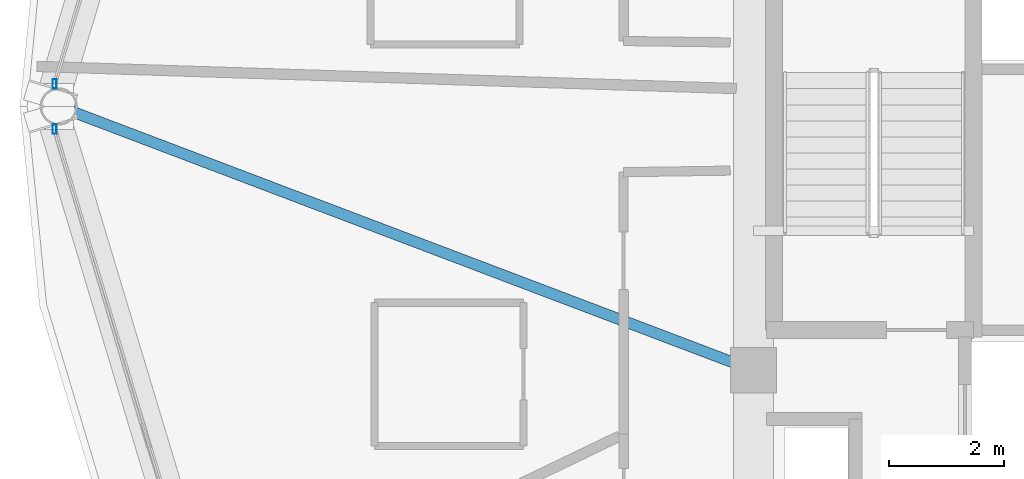
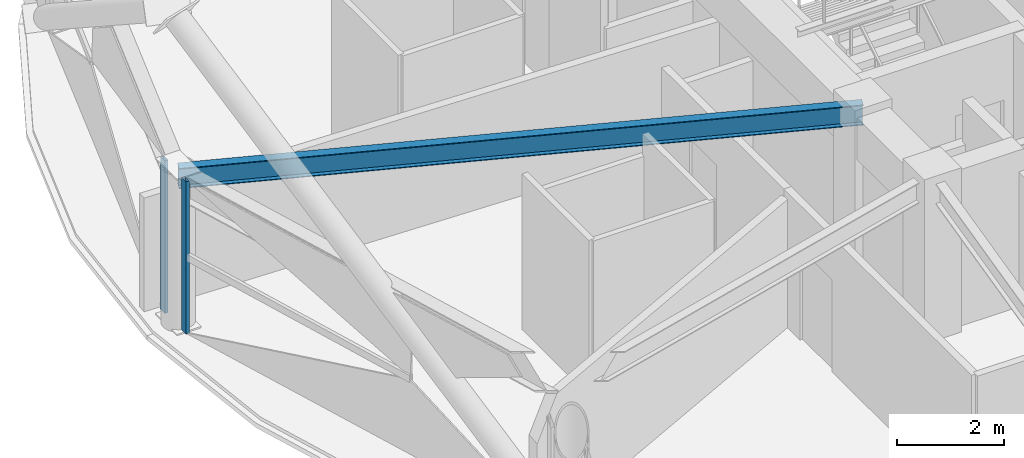
# One storey, part 7 of 29: 2 members, 1 beam, 2 elements without a shape of their own.
"""IFC4 building model written with IfcOpenShell, lengths in metres."""

from ifc_helpers import new_model, si_unit, direction, frame, origin, origin_2d, place, context, subcontext, project, spatial, hollow_rectangle, i_section, extrude, material, layer, layer_set, material_profile, profile_set, type_object, element, aggregate, save


model = new_model("IFC4")

# Units and contexts
model_context = context("Model", 3, precision=1e-05, world=origin(), true_north=direction((0.0, 1.0)))
body_context = subcontext(model_context, "Body", "Model", "MODEL_VIEW")
ifc_project = project(units=[si_unit("LENGTHUNIT", "METRE"), si_unit("AREAUNIT", "SQUARE_METRE"), si_unit("VOLUMEUNIT", "CUBIC_METRE"), si_unit("PLANEANGLEUNIT", "RADIAN"), si_unit("MASSUNIT", "GRAM", prefix="KILO")], contexts=[model_context])

# Site, building, storey
site_placement = place(None, origin())
site = spatial("IfcSite", under=ifc_project, at=site_placement, CompositionType="ELEMENT")
building_placement = place(site_placement, origin())
building = spatial("IfcBuilding", under=site, at=building_placement, Name="Vantalir Tower", CompositionType="ELEMENT")
storey_placement = place(building_placement, frame((0.0, 0.0, 234.89990234375)))
storey = spatial("IfcBuildingStorey", under=building, at=storey_placement, Name="L59", CompositionType="ELEMENT", Elevation=234.89990234375)

# Beam
ifc_material_1 = material(Name="Steel S355", Category="steel")
ifc_material_profile_1 = material_profile(ifc_material_1, i_section(OverallWidth=0.19189453125, OverallDepth=0.462890625, WebThickness=0.010498046875, FlangeThickness=0.017578125, at=origin_2d()), Name="Steel S355")
ifc_profile_set_1 = profile_set([ifc_material_profile_1], Name="Steel S355")
beam_type = type_object("IfcBeamType", Name="BM-RB-457x191", PredefinedType="BEAM", material=ifc_profile_set_1)
beam_placement = place(storey_placement, frame((9.781982421875, 25.0, 3.338134765625), z_axis=(0.934904236312, -0.354900083018, 0.0), x_axis=(0.354900083018, 0.934904236312, 0.0)))
element("IfcBeam", 1, at=beam_placement, inside=storey, type_object=beam_type, Name="L59 Radial Floor Beam 07", PredefinedType="BEAM", context=body_context, shape_type="SweptSolid", body=[
    extrude(i_section(OverallWidth=0.19189453125, OverallDepth=0.462890625, WebThickness=0.010498046875, FlangeThickness=0.017578125, at=origin_2d()), origin(), (0.0, 0.0, 1.0), 12.961669921875),
])

# Curtain wall, member
ifc_material_2 = material(Name="Champagne-silver PVDF aluminium and double-silver Low-E glass", Category="aluminium")
ifc_layer = layer(ifc_material_2, 0.2099609375)
ifc_layer_set = layer_set([ifc_layer], Name="Champagne-silver PVDF aluminium and double-silver Low-E glass")
curtain_wall_type = type_object("IfcCurtainWallType", Name="CW-DIAMOND-Z3", PredefinedType="USERDEFINED", material=ifc_layer_set)
curtain_wall_1_placement = place(storey_placement, origin())
curtain_wall_1 = element("IfcCurtainWall", 2, at=curtain_wall_1_placement, inside=storey, type_object=curtain_wall_type, Name="L59 Quilted Pyramid-Diamond Curtain Wall S06", ObjectType="UNITISED CURTAIN WALL", PredefinedType="USERDEFINED")
ifc_material_3 = material(Name="Champagne-silver PVDF aluminium 6063-T6", Category="aluminium")
ifc_material_profile_2 = material_profile(ifc_material_3, hollow_rectangle(XDim=0.070068359375, YDim=0.1650390625, WallThickness=0.00390625, at=origin_2d()), Name="Champagne-silver PVDF aluminium 6063-T6")
ifc_profile_set_2 = profile_set([ifc_material_profile_2], Name="Champagne-silver PVDF aluminium 6063-T6")
member_type = type_object("IfcMemberType", Name="CWM-165x70", PredefinedType="MULLION", material=ifc_profile_set_2)
member_1_placement = place(storey_placement, frame((9.7099609375, 25.39306640625, 0.045166015625), z_axis=(0.0, 0.0, 1.0), x_axis=(1.0, 0.0, 0.0)))
member_1 = element("IfcMember", 3, at=member_1_placement, type_object=member_type, Name="CW-L59-S06 Mullion 2", PredefinedType="MULLION", context=body_context, shape_type="SweptSolid", body=[
    extrude(hollow_rectangle(XDim=0.070068359375, YDim=0.1650390625, WallThickness=0.00390625, at=origin_2d()), origin(), (0.0, 0.0, 1.0), 3.47998046875),
])
aggregate(curtain_wall_1, [member_1])

curtain_wall_2_placement = place(storey_placement, origin())
curtain_wall_2 = element("IfcCurtainWall", 4, at=curtain_wall_2_placement, inside=storey, type_object=curtain_wall_type, Name="L59 Quilted Pyramid-Diamond Curtain Wall S07", ObjectType="UNITISED CURTAIN WALL", PredefinedType="USERDEFINED")
member_2_placement = place(storey_placement, frame((9.7099609375, 24.60693359375, 0.045166015625), z_axis=(0.0, 0.0, 1.0), x_axis=(1.0, 0.0, 0.0)))
member_2 = element("IfcMember", 5, at=member_2_placement, type_object=member_type, Name="CW-L59-S07 Mullion 1", PredefinedType="MULLION", context=body_context, shape_type="SweptSolid", body=[
    extrude(hollow_rectangle(XDim=0.070068359375, YDim=0.1650390625, WallThickness=0.00390625, at=origin_2d()), origin(), (0.0, 0.0, 1.0), 3.47998046875),
])
aggregate(curtain_wall_2, [member_2])

save(model, "model.ifc")
